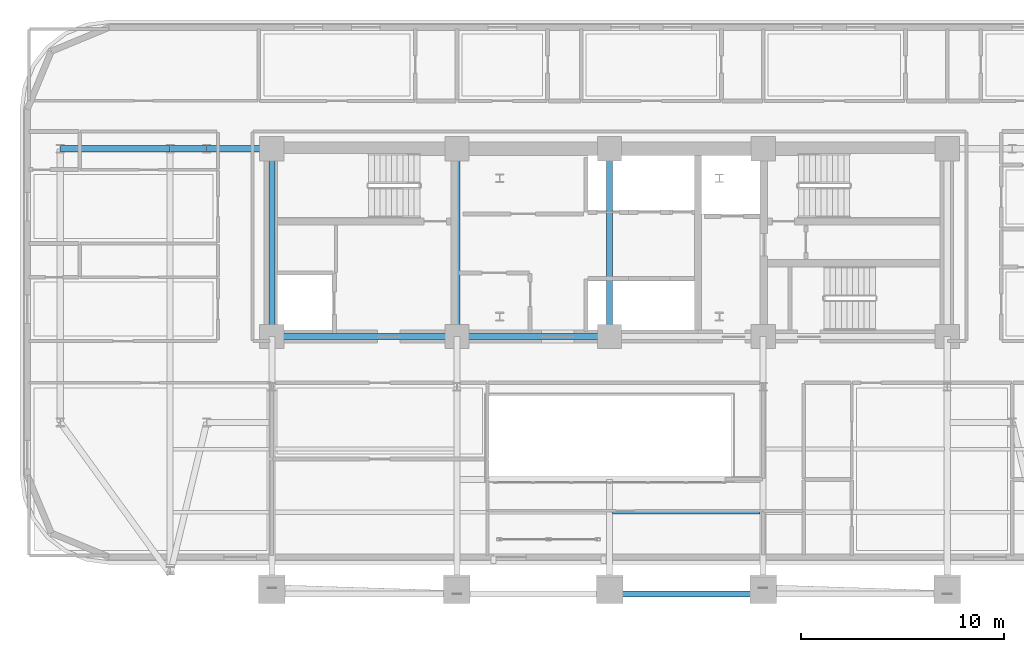
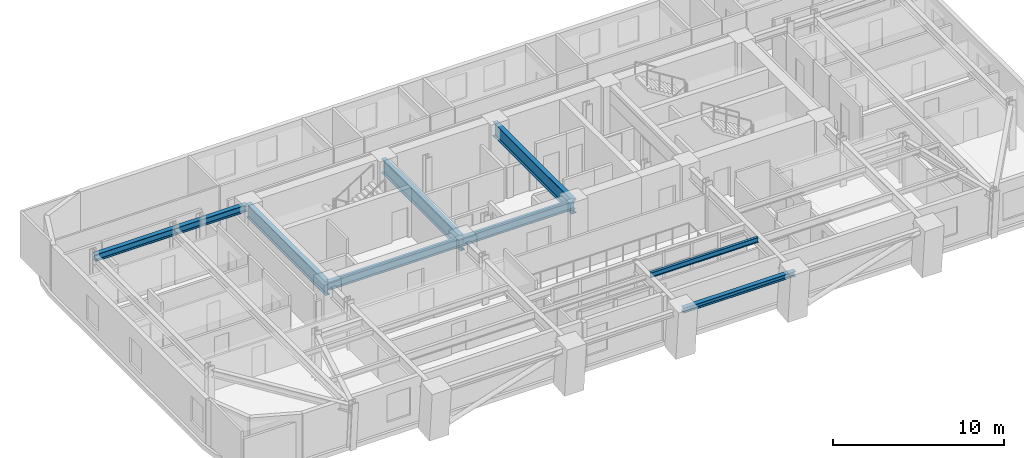
# One storey, part 4 of 16: 10 beams.
"""IFC4 building model written with IfcOpenShell, lengths in metres."""

import ifcopenshell
import ifcopenshell.guid

model = None  # the IFC model being written
_history = None  # IfcOwnerHistory: only IFC2X3 demands one
_inside = {}  # id of a spatial element -> (the spatial element, [elements in it])
_under = {}  # id of a project, library or spatial element -> (it, [spatial elements below it])
_declared = {}  # id of a project -> (the project, [libraries it declares])
_typed = {}  # id of a type object -> (the type object, [elements of that type])
_made_of = {}  # id of a material, layer set ... -> (it, [elements and type objects made of it])


def new_model(schema):
    """Start an empty IFC model of exactly this schema.

    Asked for "IFC4X3", IfcOpenShell would pick the latest addendum, in which some entities
    have other attributes; the version numbers below select the first issue.
    IFC2X3 requires an IfcOwnerHistory on every rooted entity: one is made here for all.
    """
    global model, _history
    if schema == "IFC4X3":
        model = ifcopenshell.file(schema_version=(4, 3, 0, 0))
    else:
        model = ifcopenshell.file(schema=schema)
    _inside.clear()
    _under.clear()
    _declared.clear()
    _typed.clear()
    _made_of.clear()
    _history = None
    if model.schema == "IFC2X3":
        org = make("IfcOrganization", Name="unknown")
        user = make(
            "IfcPersonAndOrganization",
            ThePerson=make("IfcPerson", FamilyName="unknown"),
            TheOrganization=org,
        )
        app = make(
            "IfcApplication",
            ApplicationDeveloper=org,
            Version="unknown",
            ApplicationFullName="unknown",
            ApplicationIdentifier="unknown",
        )
        _history = make(
            "IfcOwnerHistory",
            OwningUser=user,
            OwningApplication=app,
            ChangeAction="ADDED",
            CreationDate=0,
        )
    return model


def make(cls, **values):
    """One entity of the class cls with the attributes given. An attribute that is None is left unset."""
    return model.create_entity(
        cls, **{name: value for name, value in values.items() if value is not None}
    )


def rooted(cls, **values):
    """An entity with a GlobalId (a new one), such as an element, a storey or a relation."""
    return make(cls, GlobalId=ifcopenshell.guid.new(), OwnerHistory=_history, **values)


def si_unit(unit_type, name, prefix=None):
    """IfcSIUnit, for example si_unit("LENGTHUNIT", "METRE", prefix="MILLI")."""
    return make("IfcSIUnit", UnitType=unit_type, Prefix=prefix, Name=name)


def assignment(units):
    """IfcUnitAssignment: the units of a project."""
    return None if units is None else make("IfcUnitAssignment", Units=units)


def point(xyz):
    """IfcCartesianPoint."""
    return None if xyz is None else make("IfcCartesianPoint", Coordinates=xyz)


def direction(xyz):
    """IfcDirection."""
    return None if xyz is None else make("IfcDirection", DirectionRatios=xyz)


def frame(location, z_axis=None, x_axis=None):
    """IfcAxis2Placement3D, a coordinate frame: its origin and axes. An axis left out is left unset."""
    return make(
        "IfcAxis2Placement3D",
        Location=point(location),
        Axis=direction(z_axis),
        RefDirection=direction(x_axis),
    )


def frame_2d(location, x_axis=None):
    """IfcAxis2Placement2D, a coordinate frame in the plane: its origin and x axis."""
    return make(
        "IfcAxis2Placement2D", Location=point(location), RefDirection=direction(x_axis)
    )


def origin():
    """The frame at (0, 0, 0) with its axes left unset."""
    return frame((0.0, 0.0, 0.0))


def origin_2d():
    """The frame at (0, 0) in the plane with its x axis left unset."""
    return frame_2d((0.0, 0.0))


def place(relative_to, where):
    """IfcLocalPlacement: puts the frame where relative to a parent placement (None: the world)."""
    return make(
        "IfcLocalPlacement", PlacementRelTo=relative_to, RelativePlacement=where
    )


def context(
    kind, dimensions, precision=None, world=None, true_north=None, identifier=None
):
    """IfcGeometricRepresentationContext, for example the 3D "Model" context."""
    return make(
        "IfcGeometricRepresentationContext",
        ContextIdentifier=identifier,
        ContextType=kind,
        CoordinateSpaceDimension=dimensions,
        Precision=precision,
        WorldCoordinateSystem=world,
        TrueNorth=true_north,
    )


def subcontext(parent, identifier, kind, view, scale=None):
    """IfcGeometricRepresentationSubContext, for example "Body" below "Model"."""
    return make(
        "IfcGeometricRepresentationSubContext",
        ContextIdentifier=identifier,
        ContextType=kind,
        ParentContext=parent,
        TargetScale=scale,
        TargetView=view,
    )


def project(units=None, contexts=None):
    """IfcProject with its units and contexts."""
    return rooted(
        "IfcProject",
        Name="project",
        RepresentationContexts=contexts,
        UnitsInContext=assignment(units),
    )


def spatial(cls, under=None, at=None, **own):
    """A site, building, storey or space (cls), placed at a placement, below another one or the project."""
    s = rooted(cls, ObjectPlacement=at, **own)
    if under is not None:
        _under.setdefault(under.id(), (under, []))[1].append(s)
    return s


def profile(cls, at=None, kind="AREA", **sizes):
    """A parametric profile (cls). Its sizes go by their IFC names, for example OverallWidth=200.0."""
    return make(cls, ProfileType=kind, Position=at, **sizes)


def i_section(**sizes):
    """IfcIShapeProfileDef."""
    return profile("IfcIShapeProfileDef", **sizes)


def extrude(swept, where, along, depth):
    """IfcExtrudedAreaSolid: the profile swept, set in the frame where, extruded along a direction by depth."""
    return make(
        "IfcExtrudedAreaSolid",
        SweptArea=swept,
        Position=where,
        ExtrudedDirection=direction(along),
        Depth=depth,
    )


def shape(context_of_items, identifier, shape_type, items):
    """IfcShapeRepresentation: the items that make up one representation, for example the "Body"."""
    return make(
        "IfcShapeRepresentation",
        ContextOfItems=context_of_items,
        RepresentationIdentifier=identifier,
        RepresentationType=shape_type,
        Items=items,
    )


def material(Name=None, Category=None):
    """IfcMaterial."""
    return make("IfcMaterial", Name=Name, Category=Category)


def material_profile(
    of_material, cross_section, Name=None, Category=None, Priority=None
):
    """IfcMaterialProfile: a cross section and its material."""
    return make(
        "IfcMaterialProfile",
        Name=Name,
        Material=of_material,
        Profile=cross_section,
        Priority=Priority,
        Category=Category,
    )


def profile_set(profiles, Name=None, composite=None):
    """IfcMaterialProfileSet."""
    return make(
        "IfcMaterialProfileSet",
        Name=Name,
        MaterialProfiles=profiles,
        CompositeProfile=composite,
    )


def made_of(thing, what):
    """Note that an element or type object is made of a material, layer set ...; save() writes the relation."""
    if what is not None:
        _made_of.setdefault(what.id(), (what, []))[1].append(thing)
    return thing


def type_object(cls, material=None, **own):
    """A type object (cls), such as IfcWallType, which elements share."""
    return made_of(rooted(cls, **own), material)


def element(
    cls,
    number,
    at=None,
    inside=None,
    cuts=None,
    type_object=None,
    material=None,
    context=None,
    identifier="Body",
    shape_type=None,
    held_by="IfcProductDefinitionShape",
    body=None,
    shapes=None,
    **own,
):
    """One element of the class cls, such as IfcWall. Its Tag is "e" and its number.

    at: its placement. inside: the storey or other place that contains it. cuts: it is an
    opening in that element (IfcRelVoidsElement). A single representation is given by context,
    identifier, shape_type and body (its items); several are given by shapes. held_by: the class
    of the entity that holds the representations. save() writes the other relations.
    """
    e = rooted(cls, Tag="e%d" % number, ObjectPlacement=at, **own)
    if body is not None:
        shapes = [shape(context, identifier, shape_type, body)]
    if shapes is not None:
        e.Representation = make(held_by, Representations=shapes)
    if inside is not None:
        _inside.setdefault(inside.id(), (inside, []))[1].append(e)
    if cuts is not None:
        rooted(
            "IfcRelVoidsElement", RelatingBuildingElement=cuts, RelatedOpeningElement=e
        )
    if type_object is not None:
        _typed.setdefault(type_object.id(), (type_object, []))[1].append(e)
    return made_of(e, material)


def aggregate(whole, parts):
    """IfcRelAggregates: a whole, such as a stair, and the parts it consists of."""
    return rooted("IfcRelAggregates", RelatingObject=whole, RelatedObjects=parts)


def save(model, path):
    """Write the relations noted so far, then the file.

    IfcRelAggregates (storeys below a building ...), IfcRelContainedInSpatialStructure (elements
    in a storey), IfcRelDefinesByType, IfcRelAssociatesMaterial and IfcRelDeclares: one each for
    every whole, place, type object, material and project.
    """
    for whole, parts in _under.values():
        aggregate(whole, parts)
    for where, things in _inside.values():
        rooted(
            "IfcRelContainedInSpatialStructure",
            RelatedElements=things,
            RelatingStructure=where,
        )
    for kind, things in _typed.values():
        rooted("IfcRelDefinesByType", RelatedObjects=things, RelatingType=kind)
    for what, things in _made_of.values():
        rooted("IfcRelAssociatesMaterial", RelatedObjects=things, RelatingMaterial=what)
    for by, libraries in _declared.values():
        rooted("IfcRelDeclares", RelatingContext=by, RelatedDefinitions=libraries)
    model.write(path)


model = new_model("IFC4")

# Units and contexts
model_context = context("Model", 3, precision=1e-05, world=origin(), true_north=direction((0.0, 1.0)))
body_context = subcontext(model_context, "Body", "Model", "MODEL_VIEW")
ifc_project = project(units=[si_unit("LENGTHUNIT", "METRE"), si_unit("AREAUNIT", "SQUARE_METRE"), si_unit("VOLUMEUNIT", "CUBIC_METRE"), si_unit("PLANEANGLEUNIT", "RADIAN"), si_unit("MASSUNIT", "GRAM", prefix="KILO")], contexts=[model_context])

# Site, building, storey
site_placement = place(None, origin())
site = spatial("IfcSite", under=ifc_project, at=site_placement, CompositionType="ELEMENT")
building_placement = place(site_placement, origin())
building = spatial("IfcBuilding", under=site, at=building_placement, Name="Zarnavel Station Tower", CompositionType="ELEMENT")
storey_placement = place(building_placement, frame((0.0, 0.0, 118.800048828125)))
storey = spatial("IfcBuildingStorey", under=building, at=storey_placement, Name="L32", CompositionType="ELEMENT", Elevation=118.800048828125)

# Beams
ifc_material_1 = material(Name="Steel S355J2", Category="steel")
ifc_material_profile_1 = material_profile(ifc_material_1, i_section(OverallWidth=0.300048828125, OverallDepth=0.360107421875, WebThickness=0.012451171875, FlangeThickness=0.0224609375, FilletRadius=0.027099609375, at=origin_2d()), Name="HEB360")
ifc_profile_set_1 = profile_set([ifc_material_profile_1], Name="Steel S355J2")
beam_type_1 = type_object("IfcBeamType", Name="EB_HEB360", PredefinedType="SPANDREL", material=ifc_profile_set_1)
beam_1_placement = place(storey_placement, frame((28.800048828125, 15.168701171875, 3.06005859375), z_axis=(1.0, 0.0, 0.0), x_axis=(0.0, 1.0, 0.0)))
element("IfcBeam", 1, at=beam_1_placement, inside=storey, type_object=beam_type_1, Name="L32 South Raked Spandrel 3", PredefinedType="SPANDREL", context=body_context, shape_type="SweptSolid", body=[
    extrude(i_section(OverallWidth=0.300048828125, OverallDepth=0.360107421875, WebThickness=0.012451171875, FlangeThickness=0.0224609375, FilletRadius=0.027099609375, at=origin_2d()), origin(), (0.0, 0.0, 1.0), 7.550048828125),
])
ifc_material_2 = material(Name="Steel S355J2", Category="steel")
ifc_material_profile_2 = material_profile(ifc_material_2, i_section(OverallWidth=0.300048828125, OverallDepth=0.5, WebThickness=0.014404296875, FlangeThickness=0.028076171875, FilletRadius=0.027099609375, at=origin_2d()), Name="HEB500")
ifc_profile_set_2 = profile_set([ifc_material_profile_2], Name="Steel S355J2")
beam_type_2 = type_object("IfcBeamType", Name="FG_HEB500", PredefinedType="USERDEFINED", material=ifc_profile_set_2)
beam_2_placement = place(storey_placement, frame((1.800048828125, 37.050048828125, 2.989990234375), z_axis=(1.0, 0.0, 0.0), x_axis=(0.0, 1.0, 0.0)))
element("IfcBeam", 2, at=beam_2_placement, inside=storey, type_object=beam_type_2, Name="L32 West Wing North Tie 1", ObjectType="GIRDER", PredefinedType="USERDEFINED", context=body_context, shape_type="SweptSolid", body=[
    extrude(i_section(OverallWidth=0.300048828125, OverallDepth=0.5, WebThickness=0.014404296875, FlangeThickness=0.028076171875, FilletRadius=0.027099609375, at=origin_2d()), origin(), (0.0, 0.0, 1.0), 5.39990234375),
])
beam_3_placement = place(storey_placement, frame((7.199951171875, 37.050048828125, 2.989990234375), z_axis=(1.0, 0.0, 0.0), x_axis=(0.0, 1.0, 0.0)))
element("IfcBeam", 3, at=beam_3_placement, inside=storey, type_object=beam_type_2, Name="L32 West Wing North Tie 2", ObjectType="GIRDER", PredefinedType="USERDEFINED", context=body_context, shape_type="SweptSolid", body=[
    extrude(i_section(OverallWidth=0.300048828125, OverallDepth=0.5, WebThickness=0.014404296875, FlangeThickness=0.028076171875, FilletRadius=0.027099609375, at=origin_2d()), origin(), (0.0, 0.0, 1.0), 1.800048828125),
])
beam_4_placement = place(storey_placement, frame((9.0, 37.050048828125, 2.989990234375), z_axis=(1.0, 0.0, 0.0), x_axis=(0.0, 1.0, 0.0)))
element("IfcBeam", 4, at=beam_4_placement, inside=storey, type_object=beam_type_2, Name="L32 West Wing North Tie 3", ObjectType="GIRDER", PredefinedType="USERDEFINED", context=body_context, shape_type="SweptSolid", body=[
    extrude(i_section(OverallWidth=0.300048828125, OverallDepth=0.5, WebThickness=0.014404296875, FlangeThickness=0.028076171875, FilletRadius=0.027099609375, at=origin_2d()), origin(), (0.0, 0.0, 1.0), 3.054931640625),
])
ifc_material_3 = material(Name="Steel S355J2", Category="steel")
ifc_material_profile_3 = material_profile(ifc_material_3, i_section(OverallWidth=0.300048828125, OverallDepth=0.60009765625, WebThickness=0.015380859375, FlangeThickness=0.030029296875, FilletRadius=0.027099609375, at=origin_2d()), Name="HEB600")
ifc_profile_set_3 = profile_set([ifc_material_profile_3], Name="Steel S355J2")
beam_type_3 = type_object("IfcBeamType", Name="FG_HEB600", PredefinedType="USERDEFINED", material=ifc_profile_set_3)
beam_5_placement = place(storey_placement, frame((12.199951171875, 27.820068359375, 2.93994140625), z_axis=(1.0, 0.0, 0.0), x_axis=(0.0, 1.0, 0.0)))
element("IfcBeam", 5, at=beam_5_placement, inside=storey, type_object=beam_type_3, Name="L32 Core Front Coupling Beam 1", ObjectType="GIRDER", PredefinedType="USERDEFINED", context=body_context, shape_type="SweptSolid", body=[
    extrude(i_section(OverallWidth=0.300048828125, OverallDepth=0.60009765625, WebThickness=0.015380859375, FlangeThickness=0.030029296875, FilletRadius=0.027099609375, at=origin_2d()), origin(), (0.0, 0.0, 1.0), 9.10009765625),
])
beam_6_placement = place(storey_placement, frame((21.300048828125, 27.820068359375, 2.93994140625), z_axis=(1.0, 0.0, 0.0), x_axis=(0.0, 1.0, 0.0)))
element("IfcBeam", 6, at=beam_6_placement, inside=storey, type_object=beam_type_3, Name="L32 Core Front Coupling Beam 2", ObjectType="GIRDER", PredefinedType="USERDEFINED", context=body_context, shape_type="SweptSolid", body=[
    extrude(i_section(OverallWidth=0.300048828125, OverallDepth=0.60009765625, WebThickness=0.015380859375, FlangeThickness=0.030029296875, FilletRadius=0.027099609375, at=origin_2d()), origin(), (0.0, 0.0, 1.0), 7.5),
])
ifc_material_4 = material(Name="Steel S355J2", Category="steel")
ifc_material_profile_4 = material_profile(ifc_material_4, i_section(OverallWidth=0.169921875, OverallDepth=0.360107421875, WebThickness=0.008056640625, FlangeThickness=0.0126953125, FilletRadius=0.01806640625, at=origin_2d()), Name="IPE360")
ifc_profile_set_4 = profile_set([ifc_material_profile_4], Name="Steel S355J2")
beam_type_4 = type_object("IfcBeamType", Name="FJ_IPE360", PredefinedType="JOIST", material=ifc_profile_set_4)
beam_7_placement = place(storey_placement, frame((28.945068359375, 19.17919921875, 3.06005859375), z_axis=(1.0, 0.0, 0.0), x_axis=(0.0, 1.0, 0.0)))
element("IfcBeam", 7, at=beam_7_placement, inside=storey, type_object=beam_type_4, Name="L32 Mid-East Joist 1", PredefinedType="JOIST", context=body_context, shape_type="SweptSolid", body=[
    extrude(i_section(OverallWidth=0.169921875, OverallDepth=0.360107421875, WebThickness=0.008056640625, FlangeThickness=0.0126953125, FilletRadius=0.01806640625, at=origin_2d()), origin(), (0.0, 0.0, 1.0), 7.260009765625),
])
ifc_material_5 = material(Name="Steel S460M", Category="steel")
ifc_material_profile_5 = material_profile(ifc_material_5, i_section(OverallWidth=0.302001953125, OverallDepth=1.008056640625, WebThickness=0.02099609375, FlangeThickness=0.0400390625, FilletRadius=0.030029296875, at=origin_2d()), Name="HEM1000")
ifc_profile_set_5 = profile_set([ifc_material_profile_5], Name="Steel S460M")
beam_type_5 = type_object("IfcBeamType", Name="TG_HEM1000", PredefinedType="USERDEFINED", material=ifc_profile_set_5)
for number, where, z_axis, x_axis, name in (
    (8, (12.199951171875, 27.820068359375, 2.73583984375), (0.0, 1.0, 0.0), (-1.0, 0.0, 0.0), "L32 Core Spine Coupling Girder 1"),
    (9, (21.300048828125, 27.820068359375, 2.73583984375), (0.0, 1.0, 0.0), (-1.0, 0.0, 0.0), "L32 Core Spine Coupling Girder 2"),
    (10, (28.800048828125, 27.820068359375, 2.73583984375), (0.0, 1.0, 0.0), (-1.0, 0.0, 0.0), "L32 Core Spine Coupling Girder 3"),
):
    element("IfcBeam", number, at=place(storey_placement, frame(where, z_axis=z_axis, x_axis=x_axis)), inside=storey, type_object=beam_type_5, Name=name, ObjectType="GIRDER", PredefinedType="USERDEFINED", context=body_context, shape_type="SweptSolid", body=[
        extrude(i_section(OverallWidth=0.302001953125, OverallDepth=1.008056640625, WebThickness=0.02099609375, FlangeThickness=0.0400390625, FilletRadius=0.030029296875, at=origin_2d()), origin(), (0.0, 0.0, 1.0), 9.22998046875),
    ])

save(model, "model.ifc")
